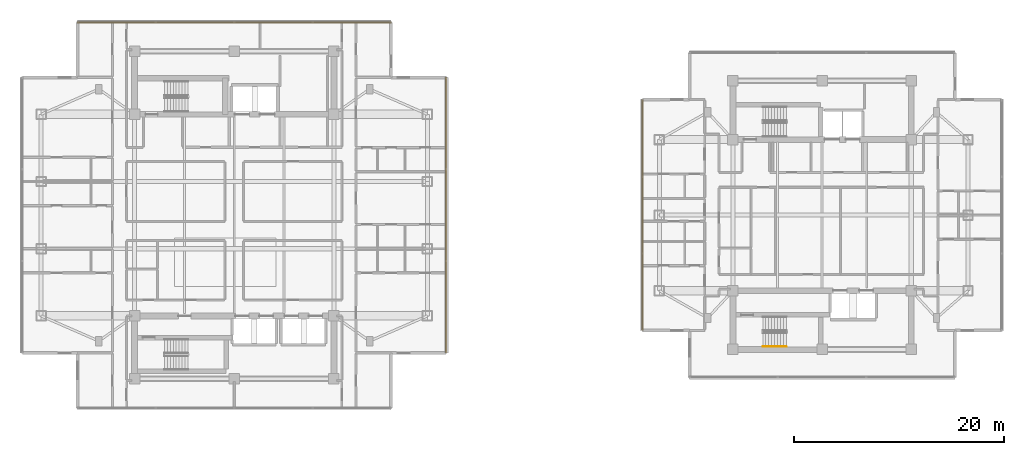
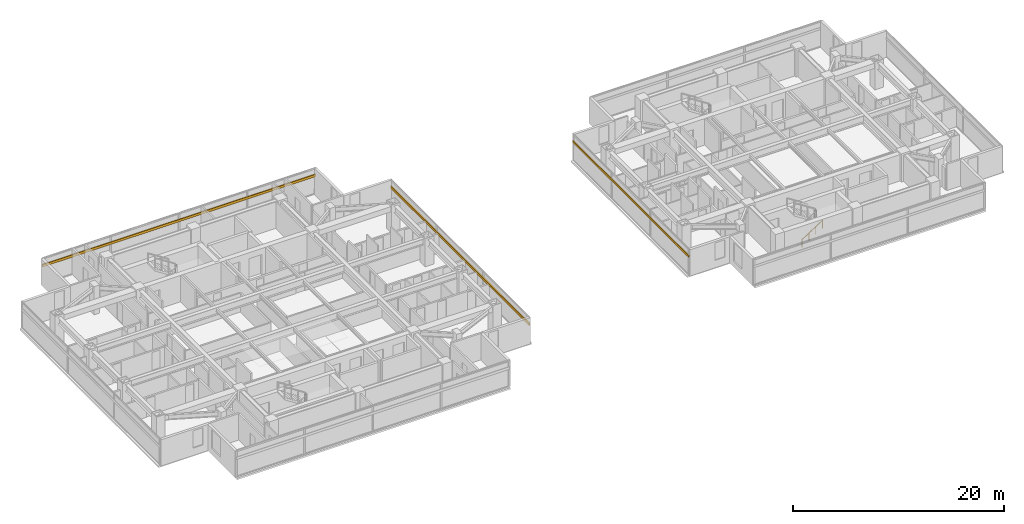
# One storey, part 21 of 24: 3 shading devices, 1 railing.
"""IFC4 building model written with IfcOpenShell, lengths in metres."""

from ifc_helpers import new_model, si_unit, direction, frame, origin, origin_2d, place, context, subcontext, project, spatial, rectangle, circle, extrude, material, material_profile, profile_set, type_object, element, save


model = new_model("IFC4")

# Units and contexts
model_context = context("Model", 3, precision=1e-05, world=origin(), true_north=direction((0.0, 1.0)))
body_context = subcontext(model_context, "Body", "Model", "MODEL_VIEW")
ifc_project = project(units=[si_unit("LENGTHUNIT", "METRE"), si_unit("AREAUNIT", "SQUARE_METRE"), si_unit("VOLUMEUNIT", "CUBIC_METRE"), si_unit("PLANEANGLEUNIT", "RADIAN"), si_unit("MASSUNIT", "GRAM", prefix="KILO")], contexts=[model_context])

# Site, building, storey
site_placement = place(None, origin())
site = spatial("IfcSite", under=ifc_project, at=site_placement, CompositionType="ELEMENT")
building_placement = place(site_placement, origin())
building = spatial("IfcBuilding", under=site, at=building_placement, Name="Mirazonda Arch Towers", CompositionType="ELEMENT")
storey_placement = place(building_placement, frame((0.0, 0.0, 160.89990234375)))
storey = spatial("IfcBuildingStorey", under=building, at=storey_placement, Name="L45", CompositionType="ELEMENT", Elevation=160.89990234375)

# Shading devices
ifc_material_1 = material(Name="Kiln-Fired Architectural Terracotta", Category="masonry")
ifc_material_profile_1 = material_profile(ifc_material_1, rectangle(XDim=0.1201171875, YDim=0.239990234375, at=origin_2d()), Name="TERRA-BAG-120x240")
ifc_profile_set_1 = profile_set([ifc_material_profile_1], Name="Kiln-Fired Architectural Terracotta")
shading_device_type_1 = type_object("IfcShadingDeviceType", Name="BAGUETTE-1", PredefinedType="USERDEFINED", material=ifc_profile_set_1)
shading_device_1_placement = place(storey_placement, frame((59.3916015625, 38.992919921875, 2.181640625), z_axis=(0.0, -1.0, 0.0), x_axis=(1.0, 0.0, 0.0)))
element("IfcShadingDevice", 1, at=shading_device_1_placement, inside=storey, type_object=shading_device_type_1, Name="L45 Glazed Terracotta Sun-Screen Baguette CW-L45-T2-W", ObjectType="BAGUETTE", PredefinedType="USERDEFINED", context=body_context, shape_type="SweptSolid", body=[
    extrude(rectangle(XDim=0.1201171875, YDim=0.239990234375, at=origin_2d()), origin(), (0.0, 0.0, 1.0), 21.98583984375),
])
ifc_material_profile_2 = material_profile(ifc_material_1, rectangle(XDim=0.139892578125, YDim=0.280029296875, at=origin_2d()), Name="TERRA-BAG-140x280")
ifc_profile_set_2 = profile_set([ifc_material_profile_2], Name="Kiln-Fired Architectural Terracotta")
shading_device_type_2 = type_object("IfcShadingDeviceType", Name="BAGUETTE-3", PredefinedType="USERDEFINED", material=ifc_profile_set_2)
shading_device_2_placement = place(storey_placement, frame((40.68994140625, 14.87890625, 2.181640625), z_axis=(0.0, 1.0, 0.0), x_axis=(-1.0, 0.0, 0.0)))
element("IfcShadingDevice", 2, at=shading_device_2_placement, inside=storey, type_object=shading_device_type_2, Name="L45 Glazed Terracotta Sun-Screen Baguette CW-L45-T1-E", ObjectType="BAGUETTE", PredefinedType="USERDEFINED", context=body_context, shape_type="SweptSolid", body=[
    extrude(rectangle(XDim=0.139892578125, YDim=0.280029296875, at=origin_2d()), origin(), (0.0, 0.0, 1.0), 26.2421875),
])
shading_device_3_placement = place(storey_placement, frame((5.554931640625, 46.365966796875, 2.181640625), z_axis=(1.0, 0.0, 0.0), x_axis=(0.0, 1.0, 0.0)))
element("IfcShadingDevice", 3, at=shading_device_3_placement, inside=storey, type_object=shading_device_type_2, Name="L45 Glazed Terracotta Sun-Screen Baguette CW-L45-T1-N", ObjectType="BAGUETTE", PredefinedType="USERDEFINED", context=body_context, shape_type="SweptSolid", body=[
    extrude(rectangle(XDim=0.139892578125, YDim=0.280029296875, at=origin_2d()), origin(), (0.0, 0.0, 1.0), 29.89013671875),
])

# Railing
ifc_material_2 = material(Name="Architectural Brushed Steel S355", Category="steel")
railing_type = type_object("IfcRailingType", Name="HANDRAIL-915", PredefinedType="HANDRAIL", material=ifc_material_2)
railing_placement = place(storey_placement, frame((70.85009765625, 15.469970703125, 0.1806640625)))
element("IfcRailing", 4, at=railing_placement, inside=storey, type_object=railing_type, Name="L45 ST-T2S stair handrail 1", PredefinedType="HANDRAIL", context=body_context, shape_type="SweptSolid", body=[
    extrude(circle(Radius=0.02392578125, at=origin_2d()), frame((0.0, 0.0, 0.8759765625), z_axis=(0.840436612492, 0.0, 0.541909863706), x_axis=(0.0, 1.0, 0.0)), (0.0, 0.0, 1.0), 2.665283203125),
    extrude(circle(Radius=0.02099609375, at=origin_2d()), origin(), (0.0, 0.0, 1.0), 0.851806640625),
    extrude(circle(Radius=0.02099609375, at=origin_2d()), frame((0.74658203125, 0.0, 0.4814453125)), (0.0, 0.0, 1.0), 0.851806640625),
    extrude(circle(Radius=0.02099609375, at=origin_2d()), frame((1.493408203125, 0.0, 0.962890625)), (0.0, 0.0, 1.0), 0.851806640625),
    extrude(circle(Radius=0.02099609375, at=origin_2d()), frame((2.239990234375, 0.0, 1.4443359375)), (0.0, 0.0, 1.0), 0.851806640625),
])

save(model, "model.ifc")
